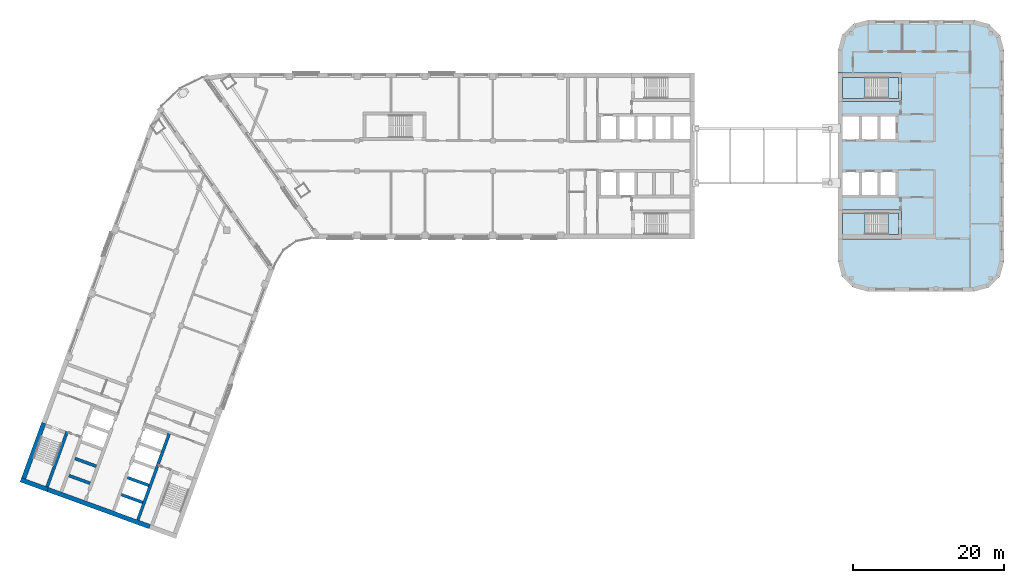
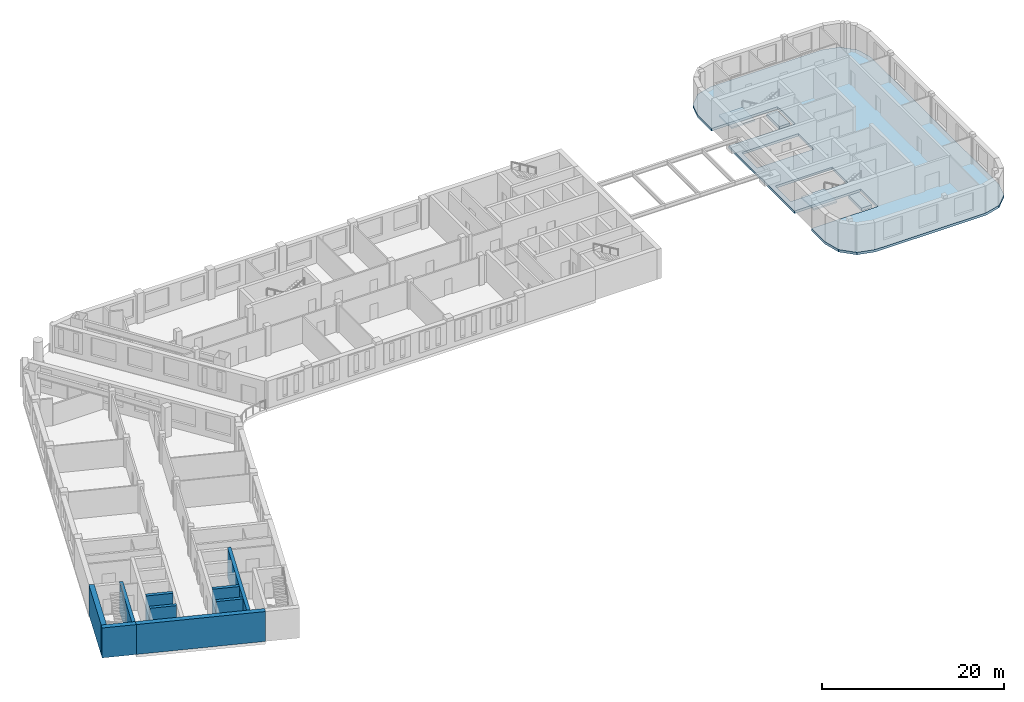
# One storey, part 2 of 14: 9 walls, 5 slabs, 2 elements without a shape of their own.
"""IFC4 building model written with IfcOpenShell, lengths in metres."""

from ifc_helpers import new_model, si_unit, direction, frame, frame_2d, origin, place, context, subcontext, project, spatial, polyline, rectangle, outline, extrude, material, layer, layer_set, type_object, element, aggregate, save


model = new_model("IFC4")

# Units and contexts
model_context = context("Model", 3, precision=1e-05, world=origin(), true_north=direction((0.0, 1.0)))
body_context = subcontext(model_context, "Body", "Model", "MODEL_VIEW")
ifc_project = project(units=[si_unit("LENGTHUNIT", "METRE"), si_unit("AREAUNIT", "SQUARE_METRE"), si_unit("VOLUMEUNIT", "CUBIC_METRE"), si_unit("PLANEANGLEUNIT", "RADIAN"), si_unit("MASSUNIT", "GRAM", prefix="KILO")], contexts=[model_context])

# Site, building, storey
site_placement = place(None, origin())
site = spatial("IfcSite", under=ifc_project, at=site_placement, CompositionType="ELEMENT")
building_placement = place(site_placement, origin())
building = spatial("IfcBuilding", under=site, at=building_placement, Name="Skarvind Civic Tower", CompositionType="ELEMENT")
storey_placement = place(building_placement, frame((0.0, 0.0, 105.0)))
storey = spatial("IfcBuildingStorey", under=building, at=storey_placement, Name="L24", CompositionType="ELEMENT", Elevation=105.0)

# Slabs
ifc_material_1 = material(Name="Concrete C50", Category="concrete")
ifc_layer_1 = layer(ifc_material_1, 0.324951171875)
ifc_layer_set_1 = layer_set([ifc_layer_1], Name="Second tower floor slab 325 C50")
slab_type_1 = type_object("IfcSlabType", Name="Second tower floor slab 325 C50", PredefinedType="FLOOR", material=ifc_layer_set_1)
slab_1_placement = place(storey_placement, frame((0.0, 0.0, -0.324951171875)))
element("IfcSlab", 1, at=slab_1_placement, inside=storey, type_object=slab_type_1, Name="Floor slab L24 1", PredefinedType="FLOOR", context=body_context, shape_type="SweptSolid", body=[
    extrude(outline(polyline([(127.0, 139.0), (135.39990234375, 139.0), (135.39990234375, 135.199951171875), (127.0, 135.199951171875), (127.0, 120.800048828125), (135.39990234375, 120.800048828125), (135.39990234375, 117.0), (127.0, 117.0), (127.0, 114.0), (127.535888671875, 112.0), (129.0, 110.535888671875), (131.0, 110.0), (145.0, 110.0), (147.0, 110.535888671875), (148.464111328125, 112.0), (149.0, 114.0), (149.0, 142.0), (148.464111328125, 144.0), (147.0, 145.464111328125), (145.0, 146.0), (131.0, 146.0), (129.0, 145.464111328125), (127.535888671875, 144.0), (127.0, 142.0), (127.0, 139.0)]), holes=[polyline([(132.39990234375, 126.0), (134.800048828125, 126.0), (134.800048828125, 122.60009765625), (132.39990234375, 122.60009765625), (130.0, 122.60009765625), (127.60009765625, 122.60009765625), (127.60009765625, 126.0), (130.0, 126.0), (132.39990234375, 126.0)]), polyline([(130.0, 133.39990234375), (132.39990234375, 133.39990234375), (134.800048828125, 133.39990234375), (134.800048828125, 130.0), (132.39990234375, 130.0), (130.0, 130.0), (127.60009765625, 130.0), (127.60009765625, 133.39990234375), (130.0, 133.39990234375)])]), origin(), (0.0, 0.0, 1.0), 0.324951171875),
])
ifc_material_2 = material(Name="Concrete C40/50", Category="concrete")
ifc_layer_2 = layer(ifc_material_2, 0.375)
ifc_layer_set_2 = layer_set([ifc_layer_2], Name="Stair floor landing slab 375")
slab_type_2 = type_object("IfcSlabType", Name="Stair floor landing slab 375", PredefinedType="LANDING", material=ifc_layer_set_2)
slab_2_placement = place(storey_placement, frame((0.0, 0.0, -0.375)))
element("IfcSlab", 2, at=slab_2_placement, inside=storey, type_object=slab_type_2, Name="Stair floor landing", PredefinedType="LANDING", context=body_context, shape_type="SweptSolid", body=[
    extrude(outline(polyline([(133.6494140625, 117.599365234375), (133.6494140625, 120.400634765625), (135.00048828125, 120.400634765625), (135.00048828125, 117.599365234375), (133.6494140625, 117.599365234375)])), origin(), (0.0, 0.0, 1.0), 0.375),
])
slab_3_placement = place(storey_placement, frame((0.0, 0.0, -0.375)))
element("IfcSlab", 3, at=slab_3_placement, inside=storey, type_object=slab_type_2, Name="Stair floor landing", PredefinedType="LANDING", context=body_context, shape_type="SweptSolid", body=[
    extrude(outline(polyline([(133.6494140625, 135.599365234375), (133.6494140625, 138.400634765625), (135.00048828125, 138.400634765625), (135.00048828125, 135.599365234375), (133.6494140625, 135.599365234375)])), origin(), (0.0, 0.0, 1.0), 0.375),
])

# Stair, slab
stair_type = type_object("IfcStairType", Name="Exit stair, half-turn, concrete", PredefinedType="HALF_TURN_STAIR", material=ifc_material_2)
stair_1_placement = place(storey_placement, origin())
stair_1 = element("IfcStair", 4, at=stair_1_placement, inside=storey, type_object=stair_type, Name="Exit stair CAS", PredefinedType="HALF_TURN_STAIR")
ifc_layer_3 = layer(ifc_material_2, 0.199951171875)
ifc_layer_set_3 = layer_set([ifc_layer_3], Name="Stair half landing slab")
slab_type_3 = type_object("IfcSlabType", Name="Stair half landing slab", PredefinedType="LANDING", material=ifc_layer_set_3)
slab_4_placement = place(storey_placement, frame((0.0, 0.0, 1.800048828125)))
slab_4 = element("IfcSlab", 5, at=slab_4_placement, type_object=slab_type_3, Name="ST-CAS landing 1", PredefinedType="LANDING", context=body_context, shape_type="SweptSolid", body=[
    extrude(outline(polyline([(130.570556640625, 120.400634765625), (130.570556640625, 117.599365234375), (127.599365234375, 117.599365234375), (127.599365234375, 120.400634765625), (130.570556640625, 120.400634765625)])), origin(), (0.0, 0.0, 1.0), 0.199951171875),
])
aggregate(stair_1, [slab_4])

stair_2_placement = place(storey_placement, origin())
stair_2 = element("IfcStair", 6, at=stair_2_placement, inside=storey, type_object=stair_type, Name="Exit stair CAN", PredefinedType="HALF_TURN_STAIR")
slab_5_placement = place(storey_placement, frame((0.0, 0.0, 1.800048828125)))
slab_5 = element("IfcSlab", 7, at=slab_5_placement, type_object=slab_type_3, Name="ST-CAN landing 1", PredefinedType="LANDING", context=body_context, shape_type="SweptSolid", body=[
    extrude(outline(polyline([(130.570556640625, 138.400634765625), (130.570556640625, 135.599365234375), (127.599365234375, 135.599365234375), (127.599365234375, 138.400634765625), (130.570556640625, 138.400634765625)])), origin(), (0.0, 0.0, 1.0), 0.199951171875),
])
aggregate(stair_2, [slab_5])

# Walls
ifc_material_3 = material(Name="Concrete C80", Category="concrete")
ifc_layer_4 = layer(ifc_material_3, 0.39990234375)
ifc_layer_set_4 = layer_set([ifc_layer_4], Name="Core wall 400 C80")
wall_type_1 = type_object("IfcWallType", Name="Core wall 400 C80", PredefinedType="SHEAR", material=ifc_layer_set_4)
wall_1_placement = place(storey_placement, frame((22.150390625, 84.110107421875, 0.0), z_axis=(0.0, 0.0, 1.0), x_axis=(0.342016982193, 0.939693771338, 0.0)))
element("IfcWall", 8, at=wall_1_placement, inside=storey, type_object=wall_type_1, Name="Core wall C2 north stair inner L24", PredefinedType="SHEAR", context=body_context, shape_type="SweptSolid", body=[
    extrude(rectangle(XDim=7.800048828125, YDim=0.39990234375, at=frame_2d((3.89990234375, 0.0))), origin(), (0.0, 0.0, 1.0), 4.0),
])
wall_2_placement = place(storey_placement, frame((34.178466796875, 79.732177734375, 0.0), z_axis=(0.0, 0.0, 1.0), x_axis=(0.342014590177, 0.939694641948, 0.0)))
element("IfcWall", 9, at=wall_2_placement, inside=storey, type_object=wall_type_1, Name="Core wall C2 south lift row back L24", PredefinedType="SHEAR", context=body_context, shape_type="SweptSolid", body=[
    extrude(rectangle(XDim=12.2001953125, YDim=0.39990234375, at=frame_2d((6.10009765625, 0.0))), origin(), (0.0, 0.0, 1.0), 4.0),
])
for number, where, z_axis, x_axis, name in (
    (10, (34.8115234375, 82.055908203125, 0.0), (0.0, 0.0, 1.0), (-0.939686455819, 0.342037080957, 0.0), "Core wall C2 south lift row division 1 L24"),
    (11, (35.63232421875, 84.311279296875, 0.0), (0.0, 0.0, 1.0), (-0.939712609717, 0.341965219194, 0.0), "Core wall C2 south lift row division 2 L24"),
    (12, (27.857666015625, 84.5869140625, 0.0), (0.0, 0.0, 1.0), (-0.939686455819, 0.342037080957, 0.0), "Core wall C2 north lift row division 1 L24"),
):
    element("IfcWall", number, at=place(storey_placement, frame(where, z_axis=z_axis, x_axis=x_axis)), inside=storey, type_object=wall_type_1, Name=name, PredefinedType="SHEAR", context=body_context, shape_type="SweptSolid", body=[
        extrude(rectangle(XDim=3.0, YDim=0.39990234375, at=frame_2d((1.5, 0.0))), origin(), (0.0, 0.0, 1.0), 4.0),
    ])
wall_3_placement = place(storey_placement, frame((28.678466796875, 86.842041015625, 0.0), z_axis=(0.0, 0.0, 1.0), x_axis=(-0.939676934218, 0.342063238742, 0.0)))
element("IfcWall", 13, at=wall_3_placement, inside=storey, type_object=wall_type_1, Name="Core wall C2 north lift row division 2 L24", PredefinedType="SHEAR", context=body_context, shape_type="SweptSolid", body=[
    extrude(rectangle(XDim=2.999755859375, YDim=0.39990234375, at=frame_2d((1.5, 0.0))), origin(), (0.0, 0.0, 1.0), 4.0),
])
ifc_layer_5 = layer(ifc_material_3, 0.60009765625)
ifc_layer_set_5 = layer_set([ifc_layer_5], Name="Core wall 600 C80")
wall_type_2 = type_object("IfcWallType", Name="Core wall 600 C80", PredefinedType="SHEAR", material=ifc_layer_set_5)
wall_4_placement = place(storey_placement, frame((35.767333984375, 78.834716796875, 0.0), z_axis=(0.0, 0.0, 1.0), x_axis=(-0.939692894512, 0.342019391267, 0.0)))
element("IfcWall", 14, at=wall_4_placement, inside=storey, type_object=wall_type_2, Name="Core wall C2 tip between the stairs L24", PredefinedType="SHEAR", context=body_context, shape_type="SweptSolid", body=[
    extrude(rectangle(XDim=14.39990234375, YDim=0.60009765625, at=frame_2d((7.199951171875, 0.0))), origin(), (0.0, 0.0, 1.0), 4.0),
])
wall_5_placement = place(storey_placement, frame((22.23583984375, 83.759765625, 0.0), z_axis=(0.0, 0.0, 1.0), x_axis=(-0.939680822529, 0.342052557032, 0.0)))
element("IfcWall", 15, at=wall_5_placement, inside=storey, type_object=wall_type_2, Name="Core wall C2 tip at the north stair L24", PredefinedType="SHEAR", context=body_context, shape_type="SweptSolid", body=[
    extrude(rectangle(XDim=3.800048828125, YDim=0.60009765625, at=frame_2d((1.89990234375, 0.0))), origin(), (0.0, 0.0, 1.0), 4.0),
])
wall_6_placement = place(storey_placement, frame((19.049560546875, 85.23876953125, 0.0), z_axis=(0.0, 0.0, 1.0), x_axis=(0.342016982193, 0.939693771338, 0.0)))
element("IfcWall", 16, at=wall_6_placement, inside=storey, type_object=wall_type_2, Name="Core wall C2 north side at the stair L24", PredefinedType="SHEAR", context=body_context, shape_type="SweptSolid", body=[
    extrude(rectangle(XDim=7.800048828125, YDim=0.60009765625, at=frame_2d((3.89990234375, 0.0))), origin(), (0.0, 0.0, 1.0), 4.0),
])

save(model, "model.ifc")
